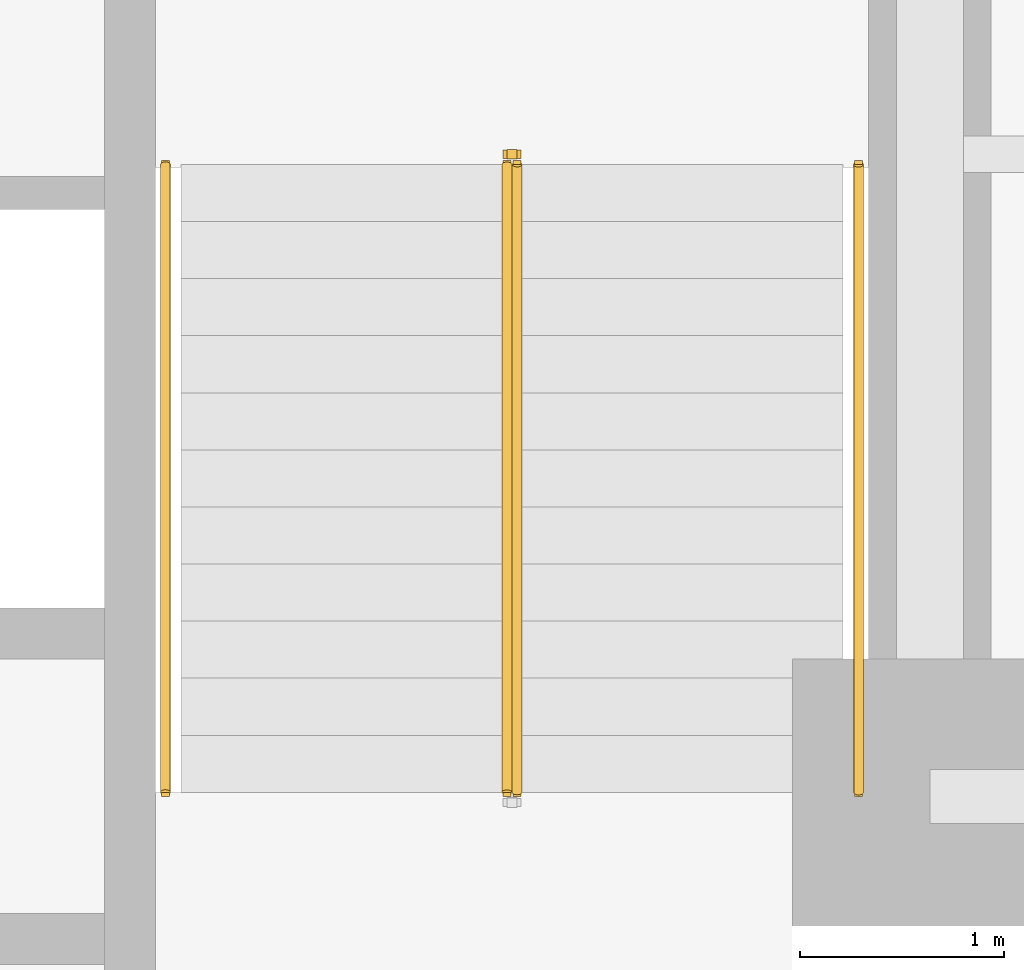
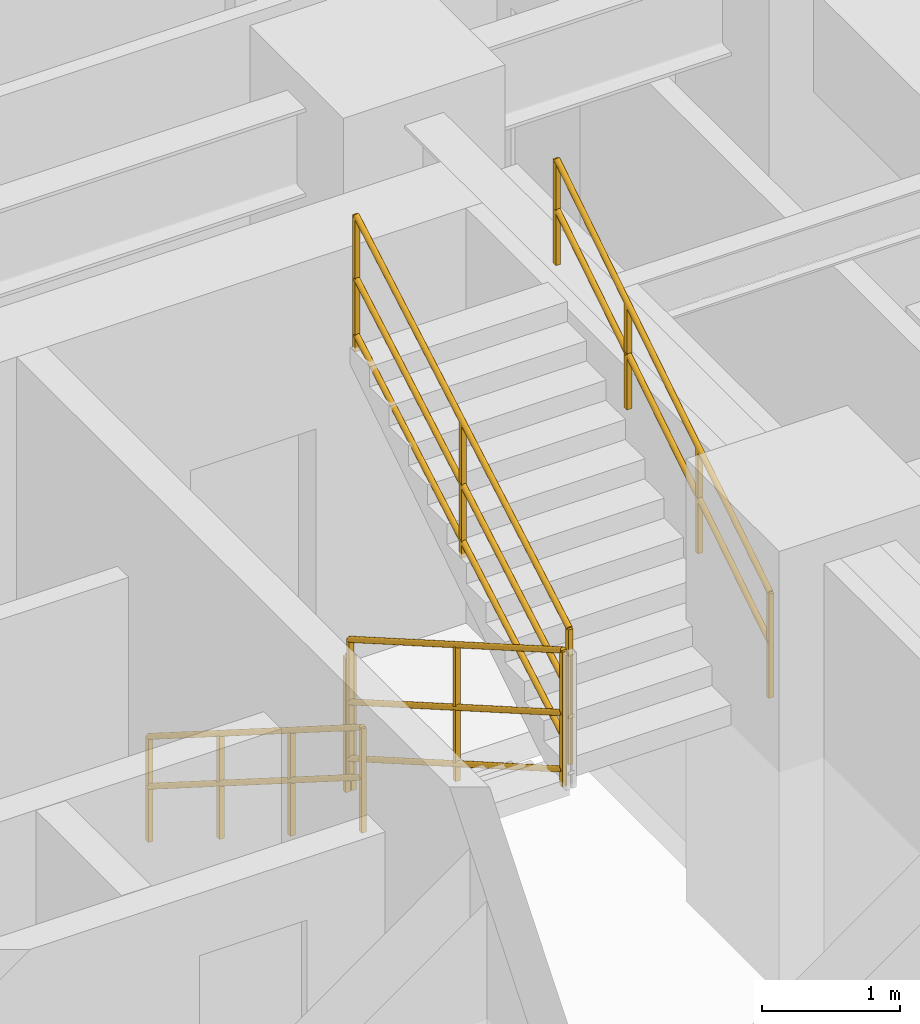
# One storey, part 8 of 9: 5 railings.
"""IFC4 building model written with IfcOpenShell, lengths in metres."""

from ifc_helpers import new_model, entity, si_unit, converted_unit, direction, frame, origin_with_axes, origin_2d_with_axis, place, context, subcontext, project, spatial, rectangle, circle, extrude, material, type_object, element, save


model = new_model("IFC4")

# Units and contexts
model_context = context("Model", 3, precision=1e-05, world=origin_with_axes(), true_north=direction((0.0, 1.0)))
body_context = subcontext(model_context, "Body", "Model", "MODEL_VIEW")
ifc_project = project(units=[si_unit("LENGTHUNIT", "METRE"), si_unit("AREAUNIT", "SQUARE_METRE"), si_unit("VOLUMEUNIT", "CUBIC_METRE"), converted_unit("PLANEANGLEUNIT", "DEGREE", entity("IfcPlaneAngleMeasure", 0.017453292519943295), si_unit("PLANEANGLEUNIT", "RADIAN"), dimensions=[0, 0, 0, 0, 0, 0, 0]), si_unit("MASSUNIT", "GRAM", prefix="KILO"), si_unit("THERMODYNAMICTEMPERATUREUNIT", "KELVIN")], contexts=[model_context])

# Site, building, storey
site_placement = place(None, origin_with_axes())
site = spatial("IfcSite", under=ifc_project, at=site_placement, CompositionType="ELEMENT")
building_placement = place(site_placement, origin_with_axes())
building = spatial("IfcBuilding", under=site, at=building_placement, Name="Varnlund Millrace Tower", CompositionType="ELEMENT")
storey_placement = place(building_placement, frame((0.0, 0.0, 63.9), z_axis=(0.0, 0.0, 1.0), x_axis=(1.0, 0.0, 0.0)))
storey = spatial("IfcBuildingStorey", under=building, at=storey_placement, Name="L15", CompositionType="ELEMENT", Elevation=63.9)

# Railings
ifc_material_1 = material(Name="Painted steel stair well balustrade guard", Category="steel")
railing_type_1 = type_object("IfcRailingType", Name="Type-StairGuard-1150", PredefinedType="GUARDRAIL", material=ifc_material_1)
railing_1_placement = place(storey_placement, frame((0.0, 0.0, -63.9), z_axis=(0.0, 0.0, 1.0), x_axis=(1.0, 0.0, 0.0)))
element("IfcRailing", 1, at=railing_1_placement, inside=storey, type_object=railing_type_1, Name="Type-StairGuard-1150", PredefinedType="GUARDRAIL", context=body_context, shape_type="SweptSolid", body=[
    extrude(circle(Radius=0.024, at=origin_2d_with_axis()), frame((45.975, 21.1, 65.227273), z_axis=(0.0, -0.866696, 0.498836), x_axis=(1.0, 0.0, 0.0)), (0.0, 0.0, 1.0), 3.553725),
    extrude(circle(Radius=0.024, at=origin_2d_with_axis()), frame((45.975, 21.1, 64.177273), z_axis=(0.0, -0.866696, 0.498836), x_axis=(1.0, 0.0, 0.0)), (0.0, 0.0, 1.0), 3.553725),
    extrude(circle(Radius=0.024, at=origin_2d_with_axis()), frame((45.975, 21.1, 64.675273), z_axis=(0.0, -0.866696, 0.498836), x_axis=(1.0, 0.0, 0.0)), (0.0, 0.0, 1.0), 3.553725),
    extrude(rectangle(XDim=0.04, YDim=0.04, at=origin_2d_with_axis()), frame((45.975, 21.1, 64.037273), z_axis=(0.0, 0.0, 1.0), x_axis=(1.0, 0.0, 0.0)), (0.0, 0.0, 1.0), 1.19),
    extrude(rectangle(XDim=0.04, YDim=0.04, at=origin_2d_with_axis()), frame((45.975, 19.56, 64.923636), z_axis=(0.0, 0.0, 1.0), x_axis=(1.0, 0.0, 0.0)), (0.0, 0.0, 1.0), 1.19),
    extrude(rectangle(XDim=0.04, YDim=0.04, at=origin_2d_with_axis()), frame((45.975, 18.02, 65.81), z_axis=(0.0, 0.0, 1.0), x_axis=(1.0, 0.0, 0.0)), (0.0, 0.0, 1.0), 1.19),
])
railing_2_placement = place(storey_placement, frame((0.0, 0.0, -63.9), z_axis=(0.0, 0.0, 1.0), x_axis=(1.0, 0.0, 0.0)))
element("IfcRailing", 2, at=railing_2_placement, inside=storey, type_object=railing_type_1, Name="Type-StairGuard-1150", PredefinedType="GUARDRAIL", context=body_context, shape_type="SweptSolid", body=[
    extrude(circle(Radius=0.024, at=origin_2d_with_axis()), frame((46.025, 18.02, 67.177273), z_axis=(0.0, 0.866696, 0.498836), x_axis=(-1.0, 0.0, 0.0)), (0.0, 0.0, 1.0), 3.553725),
    extrude(circle(Radius=0.024, at=origin_2d_with_axis()), frame((46.025, 18.02, 66.127273), z_axis=(0.0, 0.866696, 0.498836), x_axis=(-1.0, 0.0, 0.0)), (0.0, 0.0, 1.0), 3.553725),
    extrude(circle(Radius=0.024, at=origin_2d_with_axis()), frame((46.025, 18.02, 66.625273), z_axis=(0.0, 0.866696, 0.498836), x_axis=(-1.0, 0.0, 0.0)), (0.0, 0.0, 1.0), 3.553725),
    extrude(rectangle(XDim=0.04, YDim=0.04, at=origin_2d_with_axis()), frame((46.025, 18.02, 65.987273), z_axis=(0.0, 0.0, 1.0), x_axis=(1.0, 0.0, 0.0)), (0.0, 0.0, 1.0), 1.19),
    extrude(rectangle(XDim=0.04, YDim=0.04, at=origin_2d_with_axis()), frame((46.025, 19.56, 66.873636), z_axis=(0.0, 0.0, 1.0), x_axis=(1.0, 0.0, 0.0)), (0.0, 0.0, 1.0), 1.19),
    extrude(rectangle(XDim=0.04, YDim=0.04, at=origin_2d_with_axis()), frame((46.025, 21.1, 67.76), z_axis=(0.0, 0.0, 1.0), x_axis=(1.0, 0.0, 0.0)), (0.0, 0.0, 1.0), 1.19),
])
railing_3_placement = place(storey_placement, frame((0.0, 0.0, -63.9), z_axis=(0.0, 0.0, 1.0), x_axis=(1.0, 0.0, 0.0)))
element("IfcRailing", 3, at=railing_3_placement, inside=storey, type_object=railing_type_1, Name="Type-StairGuard-1150", PredefinedType="GUARDRAIL", context=body_context, shape_type="SweptSolid", body=[
    extrude(circle(Radius=0.024, at=origin_2d_with_axis()), frame((46.025, 21.15, 65.05), z_axis=(-1.0, 0.0, 0.0), x_axis=(0.0, -1.0, 0.0)), (0.0, 0.0, 1.0), 0.05),
    extrude(circle(Radius=0.024, at=origin_2d_with_axis()), frame((46.025, 21.15, 64.0), z_axis=(-1.0, 0.0, 0.0), x_axis=(0.0, -1.0, 0.0)), (0.0, 0.0, 1.0), 0.05),
    extrude(circle(Radius=0.024, at=origin_2d_with_axis()), frame((46.025, 21.15, 64.498), z_axis=(-1.0, 0.0, 0.0), x_axis=(0.0, -1.0, 0.0)), (0.0, 0.0, 1.0), 0.05),
    extrude(rectangle(XDim=0.04, YDim=0.04, at=origin_2d_with_axis()), frame((46.025, 21.15, 63.86), z_axis=(0.0, 0.0, 1.0), x_axis=(1.0, 0.0, 0.0)), (0.0, 0.0, 1.0), 1.19),
    extrude(rectangle(XDim=0.04, YDim=0.04, at=origin_2d_with_axis()), frame((45.975, 21.15, 63.86), z_axis=(0.0, 0.0, 1.0), x_axis=(1.0, 0.0, 0.0)), (0.0, 0.0, 1.0), 1.19),
])
ifc_material_2 = material(Name="Brushed architectural bronze stair handrail", Category="aluminium")
railing_type_2 = type_object("IfcRailingType", Name="Type-StairHandrail-900", PredefinedType="HANDRAIL", material=ifc_material_2)
railing_4_placement = place(storey_placement, frame((0.0, 0.0, -63.9), z_axis=(0.0, 0.0, 1.0), x_axis=(1.0, 0.0, 0.0)))
element("IfcRailing", 4, at=railing_4_placement, inside=storey, type_object=railing_type_2, Name="Type-StairHandrail-900", PredefinedType="HANDRAIL", context=body_context, shape_type="SweptSolid", body=[
    extrude(circle(Radius=0.024, at=origin_2d_with_axis()), frame((44.3, 21.1, 64.956995), z_axis=(0.0, -0.844902, 0.534922), x_axis=(1.0, 0.0, 0.0)), (0.0, 0.0, 1.0), 3.645394),
    extrude(circle(Radius=0.024, at=origin_2d_with_axis()), frame((44.3, 21.1, 64.517134), z_axis=(0.0, -0.844902, 0.534922), x_axis=(1.0, 0.0, 0.0)), (0.0, 0.0, 1.0), 3.645394),
    extrude(rectangle(XDim=0.04, YDim=0.04, at=origin_2d_with_axis()), frame((44.3, 21.1, 64.037273), z_axis=(0.0, 0.0, 1.0), x_axis=(1.0, 0.0, 0.0)), (0.0, 0.0, 1.0), 0.919722),
    extrude(rectangle(XDim=0.04, YDim=0.04, at=origin_2d_with_axis()), frame((44.3, 20.073333, 64.687273), z_axis=(0.0, 0.0, 1.0), x_axis=(1.0, 0.0, 0.0)), (0.0, 0.0, 1.0), 0.919722),
    extrude(rectangle(XDim=0.04, YDim=0.04, at=origin_2d_with_axis()), frame((44.3, 19.046667, 65.337273), z_axis=(0.0, 0.0, 1.0), x_axis=(1.0, 0.0, 0.0)), (0.0, 0.0, 1.0), 0.919722),
    extrude(rectangle(XDim=0.04, YDim=0.04, at=origin_2d_with_axis()), frame((44.3, 18.02, 65.987273), z_axis=(0.0, 0.0, 1.0), x_axis=(1.0, 0.0, 0.0)), (0.0, 0.0, 1.0), 0.919722),
])
railing_5_placement = place(storey_placement, frame((0.0, 0.0, -63.9), z_axis=(0.0, 0.0, 1.0), x_axis=(1.0, 0.0, 0.0)))
element("IfcRailing", 5, at=railing_5_placement, inside=storey, type_object=railing_type_2, Name="Type-StairHandrail-900", PredefinedType="HANDRAIL", context=body_context, shape_type="SweptSolid", body=[
    extrude(circle(Radius=0.024, at=origin_2d_with_axis()), frame((47.7, 18.02, 66.906995), z_axis=(0.0, 0.844902, 0.534922), x_axis=(-1.0, 0.0, 0.0)), (0.0, 0.0, 1.0), 3.645394),
    extrude(circle(Radius=0.024, at=origin_2d_with_axis()), frame((47.7, 18.02, 66.467134), z_axis=(0.0, 0.844902, 0.534922), x_axis=(-1.0, 0.0, 0.0)), (0.0, 0.0, 1.0), 3.645394),
    extrude(rectangle(XDim=0.04, YDim=0.04, at=origin_2d_with_axis()), frame((47.7, 18.02, 65.987273), z_axis=(0.0, 0.0, 1.0), x_axis=(1.0, 0.0, 0.0)), (0.0, 0.0, 1.0), 0.919722),
    extrude(rectangle(XDim=0.04, YDim=0.04, at=origin_2d_with_axis()), frame((47.7, 19.046667, 66.637273), z_axis=(0.0, 0.0, 1.0), x_axis=(1.0, 0.0, 0.0)), (0.0, 0.0, 1.0), 0.919722),
    extrude(rectangle(XDim=0.04, YDim=0.04, at=origin_2d_with_axis()), frame((47.7, 20.073333, 67.287273), z_axis=(0.0, 0.0, 1.0), x_axis=(1.0, 0.0, 0.0)), (0.0, 0.0, 1.0), 0.919722),
    extrude(rectangle(XDim=0.04, YDim=0.04, at=origin_2d_with_axis()), frame((47.7, 21.1, 67.937273), z_axis=(0.0, 0.0, 1.0), x_axis=(1.0, 0.0, 0.0)), (0.0, 0.0, 1.0), 0.919722),
])

save(model, "model.ifc")
